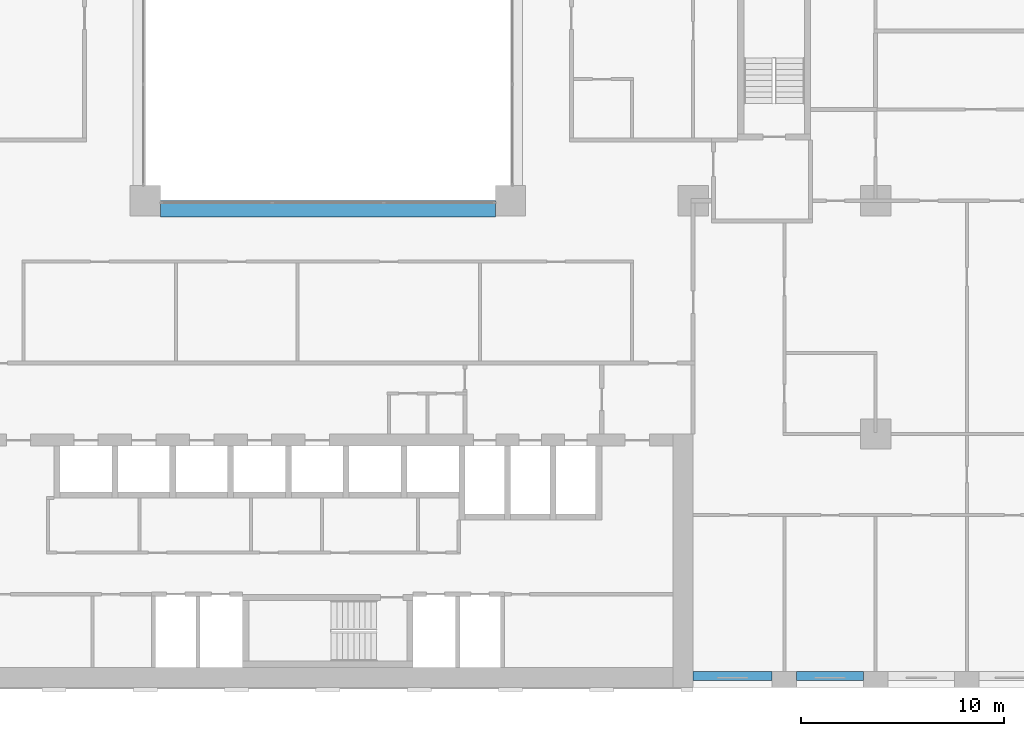
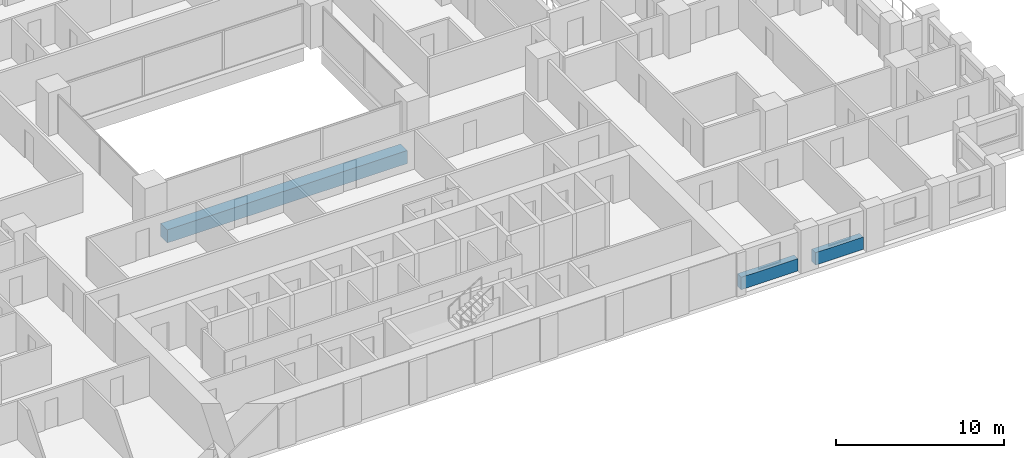
# One storey, part 3 of 19: 3 beams.
"""IFC4 building model written with IfcOpenShell, lengths in metres."""

from ifc_helpers import new_model, si_unit, direction, frame, origin, origin_2d, place, context, subcontext, project, spatial, rectangle, extrude, material, material_profile, profile_set, type_object, element, save


model = new_model("IFC4")

# Units and contexts
model_context = context("Model", 3, precision=1e-05, world=origin(), true_north=direction((0.0, 1.0)))
body_context = subcontext(model_context, "Body", "Model", "MODEL_VIEW")
ifc_project = project(units=[si_unit("LENGTHUNIT", "METRE"), si_unit("AREAUNIT", "SQUARE_METRE"), si_unit("VOLUMEUNIT", "CUBIC_METRE"), si_unit("PLANEANGLEUNIT", "RADIAN"), si_unit("MASSUNIT", "GRAM", prefix="KILO")], contexts=[model_context])

# Site, building, storey
site_placement = place(None, origin())
site = spatial("IfcSite", under=ifc_project, at=site_placement, CompositionType="ELEMENT")
building_placement = place(site_placement, origin())
building = spatial("IfcBuilding", under=site, at=building_placement, Name="Brigalow Station Residences", CompositionType="ELEMENT")
storey_placement = place(building_placement, frame((0.0, 0.0, 35.25)))
storey = spatial("IfcBuildingStorey", under=building, at=storey_placement, Name="L09", CompositionType="ELEMENT", Elevation=35.25)

# Beams
ifc_material_1 = material(Name="Concrete C65", Category="concrete")
ifc_material_profile_1 = material_profile(ifc_material_1, rectangle(XDim=0.800048828125, YDim=0.949951171875, at=origin_2d()), Name="RC800x950")
ifc_profile_set_1 = profile_set([ifc_material_profile_1], Name="Concrete C65")
beam_type_1 = type_object("IfcBeamType", Name="ATRIUM EDGE GIRDER OVER 13.5 M SPAN 800x950 C65", PredefinedType="BEAM", material=ifc_profile_set_1)
beam_1_placement = place(storey_placement, frame((27.75, 23.60009765625, -0.794921875), z_axis=(1.0, 0.0, 0.0), x_axis=(0.0, 1.0, 0.0)))
element("IfcBeam", 1, at=beam_1_placement, inside=storey, type_object=beam_type_1, Name="ATRIUM EDGE GIRDER C L09", PredefinedType="BEAM", context=body_context, shape_type="SweptSolid", body=[
    extrude(rectangle(XDim=0.800048828125, YDim=0.949951171875, at=origin_2d()), origin(), (0.0, 0.0, 1.0), 16.5),
])
ifc_material_2 = material(Name="Concrete C65", Category="concrete")
ifc_material_profile_2 = material_profile(ifc_material_2, rectangle(XDim=0.449951171875, YDim=0.89990234375, at=origin_2d()), Name="RC450x900")
ifc_profile_set_2 = profile_set([ifc_material_profile_2], Name="Concrete C65")
beam_type_2 = type_object("IfcBeamType", Name="SPANDREL BEAM 450x900 C65", PredefinedType="SPANDREL", material=ifc_profile_set_2)
beam_2_placement = place(storey_placement, frame((54.0, 0.574951171875, 0.449951171875), z_axis=(1.0, 0.0, 0.0), x_axis=(0.0, 1.0, 0.0)))
element("IfcBeam", 2, at=beam_2_placement, inside=storey, type_object=beam_type_2, Name="L09/spandrel/W-L09-5", PredefinedType="SPANDREL", context=body_context, shape_type="SweptSolid", body=[
    extrude(rectangle(XDim=0.449951171875, YDim=0.89990234375, at=origin_2d()), origin(), (0.0, 0.0, 1.0), 3.89990234375),
])
beam_3_placement = place(storey_placement, frame((59.10009765625, 0.574951171875, 0.449951171875), z_axis=(1.0, 0.0, 0.0), x_axis=(0.0, 1.0, 0.0)))
element("IfcBeam", 3, at=beam_3_placement, inside=storey, type_object=beam_type_2, Name="L09/spandrel/W-L09-6", PredefinedType="SPANDREL", context=body_context, shape_type="SweptSolid", body=[
    extrude(rectangle(XDim=0.449951171875, YDim=0.89990234375, at=origin_2d()), origin(), (0.0, 0.0, 1.0), 3.2998046875),
])

save(model, "model.ifc")
